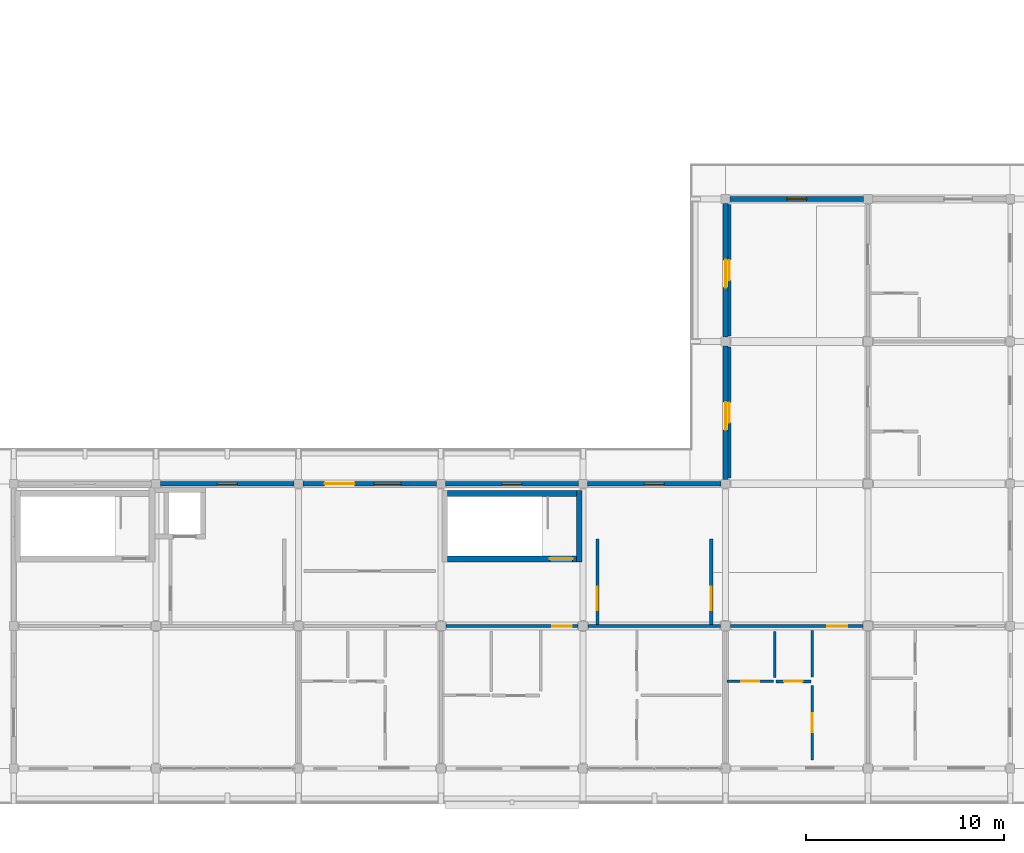
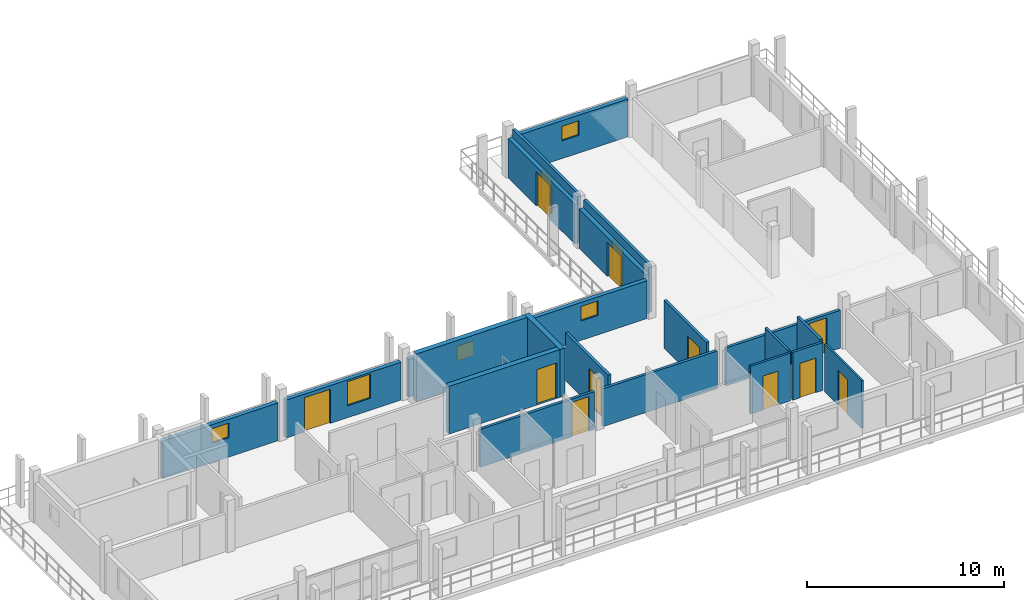
# One storey, part 38 of 56: 22 walls, 13 doors, 5 windows, 18 openings.
"""IFC4 building model written with IfcOpenShell, lengths in metres."""

from ifc_helpers import new_model, si_unit, direction, frame, frame_2d, origin, place, context, subcontext, project, spatial, rectangle, extrude, material, layer, layer_set, type_object, element, fill, save


model = new_model("IFC4")

# Units and contexts
model_context = context("Model", 3, precision=1e-05, world=origin(), true_north=direction((0.0, 1.0)))
body_context = subcontext(model_context, "Body", "Model", "MODEL_VIEW")
ifc_project = project(units=[si_unit("LENGTHUNIT", "METRE"), si_unit("AREAUNIT", "SQUARE_METRE"), si_unit("VOLUMEUNIT", "CUBIC_METRE"), si_unit("PLANEANGLEUNIT", "RADIAN"), si_unit("MASSUNIT", "GRAM", prefix="KILO")], contexts=[model_context])

# Site, building, storey
site_placement = place(None, origin())
site = spatial("IfcSite", under=ifc_project, at=site_placement, CompositionType="ELEMENT")
building_placement = place(site_placement, origin())
building = spatial("IfcBuilding", under=site, at=building_placement, Name="Suanplinth Sawtooth Commons", CompositionType="ELEMENT")
storey_placement = place(building_placement, frame((0.0, 0.0, 34.800048828125)))
storey = spatial("IfcBuildingStorey", under=building, at=storey_placement, Name="L10", CompositionType="ELEMENT", Elevation=34.800048828125)

# Wall, opening, door
ifc_material_1 = material(Name="Concrete C40/50", Category="concrete")
ifc_layer_1 = layer(ifc_material_1, 0.300048828125, Name="Standard RC stair and lift core wall 300mm")
ifc_layer_set_1 = layer_set([ifc_layer_1], Name="Concrete C40/50")
wall_type_1 = type_object("IfcWallType", Name="W-CR02", PredefinedType="SHEAR", material=ifc_layer_set_1)
wall_1_placement = place(storey_placement, frame((158.75, 10.60009765625, 0.0), z_axis=(0.0, 0.0, 1.0), x_axis=(1.0, 0.0, 0.0)))
wall_1 = element("IfcWall", 1, at=wall_1_placement, inside=storey, type_object=wall_type_1, Name="W-L10-C-C2-STS", PredefinedType="SHEAR", context=body_context, shape_type="SweptSolid", body=[
    extrude(rectangle(XDim=6.5, YDim=0.300048828125, at=frame_2d((3.25, 0.0))), origin(), (0.0, 0.0, 1.0), 2.9599609375),
])
opening_1_placement = place(wall_1_placement, frame((5.169921875, 0.0, 0.0)))
opening_1 = element("IfcOpeningElement", 2, at=opening_1_placement, cuts=wall_1, Name="Opening FD0354", PredefinedType="OPENING", context=body_context, shape_type="SweptSolid", body=[
    extrude(rectangle(XDim=1.14990234375, YDim=2.199951171875, at=frame_2d((0.574951171875, 1.10009765625))), frame((0.0, 0.1650390625, 0.0), z_axis=(0.0, -1.0, 0.0), x_axis=(1.0, 0.0, 0.0)), (0.0, 0.0, 1.0), 0.329833984375),
])
ifc_material_2 = material(Name="Teak hardwood fire-rated door assembly", Category="wood")
door_type_1 = type_object("IfcDoorType", Name="FD-01", OperationType="NOTDEFINED", PredefinedType="DOOR", material=ifc_material_2)
door_1_placement = place(opening_1_placement, origin())
door_1 = element("IfcDoor", 3, at=door_1_placement, inside=storey, type_object=door_type_1, Name="Exit Stair Fire Door FD0354", OperationType="SINGLE_SWING_LEFT", OverallHeight=2.199951171875, OverallWidth=1.14990234375, PredefinedType="DOOR", context=body_context, shape_type="SweptSolid", body=[
    extrude(rectangle(XDim=1.14990234375, YDim=2.199951171875, at=frame_2d((0.574951171875, 1.10009765625))), frame((0.0, 0.02490234375, 0.0), z_axis=(0.0, -1.0, 0.0), x_axis=(1.0, 0.0, 0.0)), (0.0, 0.0, 1.0), 0.050048828125),
])
fill(opening_1, door_1)

# Walls
wall_2_placement = place(storey_placement, frame((158.75, 13.89990234375, 0.0), z_axis=(0.0, 0.0, 1.0), x_axis=(1.0, 0.0, 0.0)))
element("IfcWall", 4, at=wall_2_placement, inside=storey, type_object=wall_type_1, Name="W-L10-C-C2-STN", PredefinedType="SHEAR", context=body_context, shape_type="SweptSolid", body=[
    extrude(rectangle(XDim=6.5, YDim=0.300048828125, at=frame_2d((3.25, 0.0))), origin(), (0.0, 0.0, 1.0), 2.9599609375),
])
wall_3_placement = place(storey_placement, frame((165.39990234375, 10.449951171875, 0.0), z_axis=(0.0, 0.0, 1.0), x_axis=(0.0, 1.0, 0.0)))
element("IfcWall", 5, at=wall_3_placement, inside=storey, type_object=wall_type_1, Name="W-L10-C-C2-STE", PredefinedType="SHEAR", context=body_context, shape_type="SweptSolid", body=[
    extrude(rectangle(XDim=3.60009765625, YDim=0.300048828125, at=frame_2d((1.800048828125, 0.0))), origin(), (0.0, 0.0, 1.0), 2.9599609375),
])

# Wall, opening, window
ifc_material_3 = material(Name="Precast concrete C40/50", Category="concrete")
ifc_layer_2 = layer(ifc_material_3, 0.239990234375, Name="Upper insulated precast facade wall 240mm")
ifc_layer_set_2 = layer_set([ifc_layer_2], Name="Precast concrete C40/50")
wall_type_2 = type_object("IfcWallType", Name="W-EX03", PredefinedType="ELEMENTEDWALL", material=ifc_layer_set_2)
wall_4_placement = place(storey_placement, frame((144.22509765625, 14.39990234375, 0.0), z_axis=(0.0, 0.0, 1.0), x_axis=(1.0, 0.0, 0.0)))
wall_4 = element("IfcWall", 6, at=wall_4_placement, inside=storey, type_object=wall_type_2, Name="Facade Wall W-L10-C-N-20-1", PredefinedType="ELEMENTEDWALL", context=body_context, shape_type="SweptSolid", body=[
    extrude(rectangle(XDim=6.75, YDim=0.239990234375, at=frame_2d((3.375, 0.0))), origin(), (0.0, 0.0, 1.0), 2.344970703125),
])
opening_2_placement = place(wall_4_placement, frame((2.875, 0.0, 1.199951171875)))
opening_2 = element("IfcOpeningElement", 7, at=opening_2_placement, cuts=wall_4, Name="Opening W0850", PredefinedType="OPENING", context=body_context, shape_type="SweptSolid", body=[
    extrude(rectangle(XDim=1.0, YDim=0.89990234375, at=frame_2d((0.5, 0.449951171875))), frame((0.0, 0.134765625, 0.0), z_axis=(0.0, -1.0, 0.0), x_axis=(1.0, 0.0, 0.0)), (0.0, 0.0, 1.0), 0.269775390625),
])
ifc_material_4 = material(Name="Thermally broken aluminium and low-E double glazing", Category="aluminium")
window_type_1 = type_object("IfcWindowType", Name="WN-12", PartitioningType="SINGLE_PANEL", PredefinedType="WINDOW", material=ifc_material_4)
window_1_placement = place(opening_2_placement, origin())
window_1 = element("IfcWindow", 8, at=window_1_placement, inside=storey, type_object=window_type_1, Name="Core Daylight Window L10-C-20-1", OverallHeight=0.89990234375, OverallWidth=1.0, PartitioningType="SINGLE_PANEL", PredefinedType="WINDOW", context=body_context, shape_type="SweptSolid", body=[
    extrude(rectangle(XDim=1.0, YDim=0.89990234375, at=frame_2d((0.5, 0.449951171875))), frame((0.0, 0.030029296875, 0.0), z_axis=(0.0, -1.0, 0.0), x_axis=(1.0, 0.0, 0.0)), (0.0, 0.0, 1.0), 0.06005859375),
])
fill(opening_2, window_1)

# Wall, openings, door, window
wall_5_placement = place(storey_placement, frame((151.425048828125, 14.39990234375, 0.0), z_axis=(0.0, 0.0, 1.0), x_axis=(1.0, 0.0, 0.0)))
wall_5 = element("IfcWall", 9, at=wall_5_placement, inside=storey, type_object=wall_type_2, Name="Facade Wall W-L10-C-N-21-1", PredefinedType="ELEMENTEDWALL", context=body_context, shape_type="SweptSolid", body=[
    extrude(rectangle(XDim=6.75, YDim=0.239990234375, at=frame_2d((3.375, 0.0))), origin(), (0.0, 0.0, 1.0), 2.344970703125),
])
opening_3_placement = place(wall_5_placement, frame((1.10009765625, 0.0, 0.0)))
opening_3 = element("IfcOpeningElement", 10, at=opening_3_placement, cuts=wall_5, Name="Opening ED0767", PredefinedType="OPENING", context=body_context, shape_type="SweptSolid", body=[
    extrude(rectangle(XDim=1.5, YDim=2.1201171875, at=frame_2d((0.75, 1.06005859375))), frame((0.0, 0.134765625, 0.0), z_axis=(0.0, -1.0, 0.0), x_axis=(1.0, 0.0, 0.0)), (0.0, 0.0, 1.0), 0.269775390625),
])
opening_4_placement = place(wall_5_placement, frame((3.60009765625, 0.0, 0.735107421875)))
opening_4 = element("IfcOpeningElement", 11, at=opening_4_placement, cuts=wall_5, Name="Opening W0852", PredefinedType="OPENING", context=body_context, shape_type="SweptSolid", body=[
    extrude(rectangle(XDim=1.35009765625, YDim=1.5, at=frame_2d((0.675048828125, 0.75))), frame((0.0, 0.134765625, 0.0), z_axis=(0.0, -1.0, 0.0), x_axis=(1.0, 0.0, 0.0)), (0.0, 0.0, 1.0), 0.269775390625),
])
ifc_material_5 = material(Name="Anodized aluminium and low-E glass", Category="aluminium")
door_type_2 = type_object("IfcDoorType", Name="SD-03", OperationType="SLIDING_TO_LEFT", PredefinedType="DOOR", material=ifc_material_5)
door_2_placement = place(opening_3_placement, frame((1.5, 0.0, 0.0), z_axis=(0.0, 0.0, 1.0), x_axis=(-1.0, 0.0, 0.0)))
door_2 = element("IfcDoor", 12, at=door_2_placement, inside=storey, type_object=door_type_2, Name="Courtyard Balcony Door L10-C-21", OperationType="SLIDING_TO_LEFT", OverallHeight=2.1201171875, OverallWidth=1.5, PredefinedType="DOOR", context=body_context, shape_type="SweptSolid", body=[
    extrude(rectangle(XDim=1.5, YDim=2.1201171875, at=frame_2d((0.75, 1.06005859375))), frame((0.0, 0.02490234375, 0.0), z_axis=(0.0, -1.0, 0.0), x_axis=(1.0, 0.0, 0.0)), (0.0, 0.0, 1.0), 0.050048828125),
])
fill(opening_3, door_2)
window_type_2 = type_object("IfcWindowType", Name="WN-14", PartitioningType="SINGLE_PANEL", PredefinedType="WINDOW", material=ifc_material_4)
window_2_placement = place(opening_4_placement, origin())
window_2 = element("IfcWindow", 13, at=window_2_placement, inside=storey, type_object=window_type_2, Name="Courtyard Window L10-C-21", OverallHeight=1.5, OverallWidth=1.35009765625, PartitioningType="SINGLE_PANEL", PredefinedType="WINDOW", context=body_context, shape_type="SweptSolid", body=[
    extrude(rectangle(XDim=1.35009765625, YDim=1.5, at=frame_2d((0.675048828125, 0.75))), frame((0.0, 0.030029296875, 0.0), z_axis=(0.0, -1.0, 0.0), x_axis=(1.0, 0.0, 0.0)), (0.0, 0.0, 1.0), 0.06005859375),
])
fill(opening_4, window_2)

# Wall, opening, window
wall_6_placement = place(storey_placement, frame((158.625, 14.39990234375, 0.0), z_axis=(0.0, 0.0, 1.0), x_axis=(1.0, 0.0, 0.0)))
wall_6 = element("IfcWall", 14, at=wall_6_placement, inside=storey, type_object=wall_type_2, Name="Facade Wall W-L10-C-N-22-1", PredefinedType="ELEMENTEDWALL", context=body_context, shape_type="SweptSolid", body=[
    extrude(rectangle(XDim=6.75, YDim=0.239990234375, at=frame_2d((3.375, 0.0))), origin(), (0.0, 0.0, 1.0), 2.344970703125),
])
opening_5_placement = place(wall_6_placement, frame((2.875, 0.0, 1.199951171875)))
opening_5 = element("IfcOpeningElement", 15, at=opening_5_placement, cuts=wall_6, Name="Opening W0854", PredefinedType="OPENING", context=body_context, shape_type="SweptSolid", body=[
    extrude(rectangle(XDim=1.0, YDim=0.89990234375, at=frame_2d((0.5, 0.449951171875))), frame((0.0, 0.134765625, 0.0), z_axis=(0.0, -1.0, 0.0), x_axis=(1.0, 0.0, 0.0)), (0.0, 0.0, 1.0), 0.269775390625),
])
window_3_placement = place(opening_5_placement, origin())
window_3 = element("IfcWindow", 16, at=window_3_placement, inside=storey, type_object=window_type_1, Name="Core Daylight Window L10-C-22-1", OverallHeight=0.89990234375, OverallWidth=1.0, PartitioningType="SINGLE_PANEL", PredefinedType="WINDOW", context=body_context, shape_type="SweptSolid", body=[
    extrude(rectangle(XDim=1.0, YDim=0.89990234375, at=frame_2d((0.5, 0.449951171875))), frame((0.0, 0.030029296875, 0.0), z_axis=(0.0, -1.0, 0.0), x_axis=(1.0, 0.0, 0.0)), (0.0, 0.0, 1.0), 0.06005859375),
])
fill(opening_5, window_3)

wall_7_placement = place(storey_placement, frame((165.824951171875, 14.39990234375, 0.0), z_axis=(0.0, 0.0, 1.0), x_axis=(1.0, 0.0, 0.0)))
wall_7 = element("IfcWall", 17, at=wall_7_placement, inside=storey, type_object=wall_type_2, Name="Facade Wall W-L10-C-N-23-1", PredefinedType="ELEMENTEDWALL", context=body_context, shape_type="SweptSolid", body=[
    extrude(rectangle(XDim=6.75, YDim=0.239990234375, at=frame_2d((3.375, 0.0))), origin(), (0.0, 0.0, 1.0), 2.344970703125),
])
opening_6_placement = place(wall_7_placement, frame((2.875, 0.0, 1.199951171875)))
opening_6 = element("IfcOpeningElement", 18, at=opening_6_placement, cuts=wall_7, Name="Opening W0855", PredefinedType="OPENING", context=body_context, shape_type="SweptSolid", body=[
    extrude(rectangle(XDim=1.0, YDim=0.89990234375, at=frame_2d((0.5, 0.449951171875))), frame((0.0, 0.134765625, 0.0), z_axis=(0.0, -1.0, 0.0), x_axis=(1.0, 0.0, 0.0)), (0.0, 0.0, 1.0), 0.269775390625),
])
window_4_placement = place(opening_6_placement, origin())
window_4 = element("IfcWindow", 19, at=window_4_placement, inside=storey, type_object=window_type_1, Name="Core Daylight Window L10-C-23-1", OverallHeight=0.89990234375, OverallWidth=1.0, PartitioningType="SINGLE_PANEL", PredefinedType="WINDOW", context=body_context, shape_type="SweptSolid", body=[
    extrude(rectangle(XDim=1.0, YDim=0.89990234375, at=frame_2d((0.5, 0.449951171875))), frame((0.0, 0.030029296875, 0.0), z_axis=(0.0, -1.0, 0.0), x_axis=(1.0, 0.0, 0.0)), (0.0, 0.0, 1.0), 0.06005859375),
])
fill(opening_6, window_4)

# Wall, opening, door
wall_8_placement = place(storey_placement, frame((172.800048828125, 14.625, 0.0), z_axis=(0.0, 0.0, 1.0), x_axis=(0.0, 1.0, 0.0)))
wall_8 = element("IfcWall", 20, at=wall_8_placement, inside=storey, type_object=wall_type_2, Name="Facade Wall W-L10-C-W-24-2", PredefinedType="ELEMENTEDWALL", context=body_context, shape_type="SweptSolid", body=[
    extrude(rectangle(XDim=6.75, YDim=0.239990234375, at=frame_2d((3.375, 0.0))), origin(), (0.0, 0.0, 1.0), 2.445068359375),
])
opening_7_placement = place(wall_8_placement, frame((2.5, 0.0, 0.0)))
opening_7 = element("IfcOpeningElement", 21, at=opening_7_placement, cuts=wall_8, Name="Opening ED0770", PredefinedType="OPENING", context=body_context, shape_type="SweptSolid", body=[
    extrude(rectangle(XDim=1.39990234375, YDim=2.10009765625, at=frame_2d((0.699951171875, 1.050048828125))), frame((0.0, 0.134765625, 0.0), z_axis=(0.0, -1.0, 0.0), x_axis=(1.0, 0.0, 0.0)), (0.0, 0.0, 1.0), 0.269775390625),
])
door_type_3 = type_object("IfcDoorType", Name="SD-07", OperationType="SLIDING_TO_RIGHT", PredefinedType="DOOR", material=ifc_material_5)
door_3_placement = place(opening_7_placement, frame((1.39990234375, 0.0, 0.0), z_axis=(0.0, 0.0, 1.0), x_axis=(-1.0, 0.0, 0.0)))
door_3 = element("IfcDoor", 22, at=door_3_placement, inside=storey, type_object=door_type_3, Name="Courtyard Veranda Studio Balcony Door L10-C-2", OperationType="SLIDING_TO_RIGHT", OverallHeight=2.10009765625, OverallWidth=1.39990234375, PredefinedType="DOOR", context=body_context, shape_type="SweptSolid", body=[
    extrude(rectangle(XDim=1.39990234375, YDim=2.10009765625, at=frame_2d((0.699951171875, 1.050048828125))), frame((0.0, 0.02490234375, 0.0), z_axis=(0.0, -1.0, 0.0), x_axis=(1.0, 0.0, 0.0)), (0.0, 0.0, 1.0), 0.050048828125),
])
fill(opening_7, door_3)

# Wall, opening, window
wall_9_placement = place(storey_placement, frame((173.02490234375, 28.800048828125, 0.0), z_axis=(0.0, 0.0, 1.0), x_axis=(1.0, 0.0, 0.0)))
wall_9 = element("IfcWall", 23, at=wall_9_placement, inside=storey, type_object=wall_type_2, Name="Facade Wall W-L10-C-N-24-3", PredefinedType="ELEMENTEDWALL", context=body_context, shape_type="SweptSolid", body=[
    extrude(rectangle(XDim=6.75, YDim=0.239990234375, at=frame_2d((3.375, 0.0))), origin(), (0.0, 0.0, 1.0), 2.344970703125),
])
opening_8_placement = place(wall_9_placement, frame((2.875, 0.0, 1.10009765625)))
opening_8 = element("IfcOpeningElement", 24, at=opening_8_placement, cuts=wall_9, Name="Opening W0857", PredefinedType="OPENING", context=body_context, shape_type="SweptSolid", body=[
    extrude(rectangle(XDim=1.0, YDim=0.89990234375, at=frame_2d((0.5, 0.449951171875))), frame((0.0, 0.134765625, 0.0), z_axis=(0.0, -1.0, 0.0), x_axis=(1.0, 0.0, 0.0)), (0.0, 0.0, 1.0), 0.269775390625),
])
window_5_placement = place(opening_8_placement, origin())
window_5 = element("IfcWindow", 25, at=window_5_placement, inside=storey, type_object=window_type_1, Name="End Window L10-C-N-24-3", OverallHeight=0.89990234375, OverallWidth=1.0, PartitioningType="SINGLE_PANEL", PredefinedType="WINDOW", context=body_context, shape_type="SweptSolid", body=[
    extrude(rectangle(XDim=1.0, YDim=0.89990234375, at=frame_2d((0.5, 0.449951171875))), frame((0.0, 0.030029296875, 0.0), z_axis=(0.0, -1.0, 0.0), x_axis=(1.0, 0.0, 0.0)), (0.0, 0.0, 1.0), 0.06005859375),
])
fill(opening_8, window_5)

# Wall, opening, door
wall_10_placement = place(storey_placement, frame((172.800048828125, 21.824951171875, 0.0), z_axis=(0.0, 0.0, 1.0), x_axis=(0.0, 1.0, 0.0)))
wall_10 = element("IfcWall", 26, at=wall_10_placement, inside=storey, type_object=wall_type_2, Name="Facade Wall W-L10-C-W-24-3", PredefinedType="ELEMENTEDWALL", context=body_context, shape_type="SweptSolid", body=[
    extrude(rectangle(XDim=6.75, YDim=0.239990234375, at=frame_2d((3.375, 0.0))), origin(), (0.0, 0.0, 1.0), 2.445068359375),
])
opening_9_placement = place(wall_10_placement, frame((2.5, 0.0, 0.0)))
opening_9 = element("IfcOpeningElement", 27, at=opening_9_placement, cuts=wall_10, Name="Opening ED0771", PredefinedType="OPENING", context=body_context, shape_type="SweptSolid", body=[
    extrude(rectangle(XDim=1.39990234375, YDim=2.10009765625, at=frame_2d((0.699951171875, 1.050048828125))), frame((0.0, 0.134765625, 0.0), z_axis=(0.0, -1.0, 0.0), x_axis=(1.0, 0.0, 0.0)), (0.0, 0.0, 1.0), 0.269775390625),
])
door_4_placement = place(opening_9_placement, frame((1.39990234375, 0.0, 0.0), z_axis=(0.0, 0.0, 1.0), x_axis=(-1.0, 0.0, 0.0)))
door_4 = element("IfcDoor", 28, at=door_4_placement, inside=storey, type_object=door_type_3, Name="Courtyard Veranda Studio Balcony Door L10-C-3", OperationType="SLIDING_TO_RIGHT", OverallHeight=2.10009765625, OverallWidth=1.39990234375, PredefinedType="DOOR", context=body_context, shape_type="SweptSolid", body=[
    extrude(rectangle(XDim=1.39990234375, YDim=2.10009765625, at=frame_2d((0.699951171875, 1.050048828125))), frame((0.0, 0.02490234375, 0.0), z_axis=(0.0, -1.0, 0.0), x_axis=(1.0, 0.0, 0.0)), (0.0, 0.0, 1.0), 0.050048828125),
])
fill(opening_9, door_4)

ifc_layer_3 = layer(ifc_material_3, 0.159912109375, Name="Fire-rated corridor and lobby wall 160mm")
ifc_layer_set_3 = layer_set([ifc_layer_3], Name="Precast concrete C40/50")
wall_type_3 = type_object("IfcWallType", Name="W-FW01", PredefinedType="PARTITIONING", material=ifc_layer_set_3)
wall_11_placement = place(storey_placement, frame((166.320068359375, 7.280029296875, 0.0), z_axis=(0.0, 0.0, 1.0), x_axis=(0.0, 1.0, 0.0)))
wall_11 = element("IfcWall", 29, at=wall_11_placement, inside=storey, type_object=wall_type_3, Name="W-L10-C-C2-LOB-W", PredefinedType="PARTITIONING", context=body_context, shape_type="SweptSolid", body=[
    extrude(rectangle(XDim=4.320068359375, YDim=0.159912109375, at=frame_2d((2.16015625, 0.0))), origin(), (0.0, 0.0, 1.0), 2.9599609375),
])
opening_10_placement = place(wall_11_placement, frame((0.719970703125, 0.0, 0.0)))
opening_10 = element("IfcOpeningElement", 30, at=opening_10_placement, cuts=wall_11, Name="Opening FD0355", PredefinedType="OPENING", context=body_context, shape_type="SweptSolid", body=[
    extrude(rectangle(XDim=1.199951171875, YDim=2.199951171875, at=frame_2d((0.60009765625, 1.10009765625))), frame((0.0, 0.0947265625, 0.0), z_axis=(0.0, -1.0, 0.0), x_axis=(1.0, 0.0, 0.0)), (0.0, 0.0, 1.0), 0.189697265625),
])
door_type_4 = type_object("IfcDoorType", Name="FD-02", OperationType="NOTDEFINED", PredefinedType="DOOR", material=ifc_material_2)
door_5_placement = place(opening_10_placement, origin())
door_5 = element("IfcDoor", 31, at=door_5_placement, inside=storey, type_object=door_type_4, Name="Lobby Fire Door FD0355", OperationType="SINGLE_SWING_RIGHT", OverallHeight=2.199951171875, OverallWidth=1.199951171875, PredefinedType="DOOR", context=body_context, shape_type="SweptSolid", body=[
    extrude(rectangle(XDim=1.199951171875, YDim=2.199951171875, at=frame_2d((0.60009765625, 1.10009765625))), frame((0.0, 0.02490234375, 0.0), z_axis=(0.0, -1.0, 0.0), x_axis=(1.0, 0.0, 0.0)), (0.0, 0.0, 1.0), 0.050048828125),
])
fill(opening_10, door_5)

wall_12_placement = place(storey_placement, frame((172.080078125, 7.280029296875, 0.0), z_axis=(0.0, 0.0, 1.0), x_axis=(0.0, 1.0, 0.0)))
wall_12 = element("IfcWall", 32, at=wall_12_placement, inside=storey, type_object=wall_type_3, Name="W-L10-C-C2-LOB-E", PredefinedType="PARTITIONING", context=body_context, shape_type="SweptSolid", body=[
    extrude(rectangle(XDim=4.320068359375, YDim=0.159912109375, at=frame_2d((2.16015625, 0.0))), origin(), (0.0, 0.0, 1.0), 2.9599609375),
])
opening_11_placement = place(wall_12_placement, frame((0.719970703125, 0.0, 0.0)))
opening_11 = element("IfcOpeningElement", 33, at=opening_11_placement, cuts=wall_12, Name="Opening FD0356", PredefinedType="OPENING", context=body_context, shape_type="SweptSolid", body=[
    extrude(rectangle(XDim=1.199951171875, YDim=2.199951171875, at=frame_2d((0.60009765625, 1.10009765625))), frame((0.0, 0.0947265625, 0.0), z_axis=(0.0, -1.0, 0.0), x_axis=(1.0, 0.0, 0.0)), (0.0, 0.0, 1.0), 0.189697265625),
])
door_6_placement = place(opening_11_placement, frame((1.199951171875, 0.0, 0.0), z_axis=(0.0, 0.0, 1.0), x_axis=(-1.0, 0.0, 0.0)))
door_6 = element("IfcDoor", 34, at=door_6_placement, inside=storey, type_object=door_type_4, Name="Lobby Fire Door FD0356", OperationType="SINGLE_SWING_LEFT", OverallHeight=2.199951171875, OverallWidth=1.199951171875, PredefinedType="DOOR", context=body_context, shape_type="SweptSolid", body=[
    extrude(rectangle(XDim=1.199951171875, YDim=2.199951171875, at=frame_2d((0.60009765625, 1.10009765625))), frame((0.0, 0.02490234375, 0.0), z_axis=(0.0, -1.0, 0.0), x_axis=(1.0, 0.0, 0.0)), (0.0, 0.0, 1.0), 0.050048828125),
])
fill(opening_11, door_6)

wall_13_placement = place(storey_placement, frame((158.655029296875, 7.199951171875, 0.0), z_axis=(0.0, 0.0, 1.0), x_axis=(1.0, 0.0, 0.0)))
wall_13 = element("IfcWall", 35, at=wall_13_placement, inside=storey, type_object=wall_type_3, Name="W-C-L10-U03-COR-S1", PredefinedType="PARTITIONING", context=body_context, shape_type="SweptSolid", body=[
    extrude(rectangle(XDim=6.68994140625, YDim=0.159912109375, at=frame_2d((3.344970703125, 0.0))), origin(), (0.0, 0.0, 1.0), 2.344970703125),
])
opening_12_placement = place(wall_13_placement, frame((5.375, 0.0, 0.0)))
opening_12 = element("IfcOpeningElement", 36, at=opening_12_placement, cuts=wall_13, Name="Opening FD1909", PredefinedType="OPENING", context=body_context, shape_type="SweptSolid", body=[
    extrude(rectangle(XDim=1.0, YDim=2.14990234375, at=frame_2d((0.5, 1.074951171875))), frame((0.0, 0.0947265625, 0.0), z_axis=(0.0, -1.0, 0.0), x_axis=(1.0, 0.0, 0.0)), (0.0, 0.0, 1.0), 0.189697265625),
])
door_type_5 = type_object("IfcDoorType", Name="FD-03", OperationType="NOTDEFINED", PredefinedType="DOOR", material=ifc_material_2)
door_7_placement = place(opening_12_placement, frame((1.0, 0.0, 0.0), z_axis=(0.0, 0.0, 1.0), x_axis=(-1.0, 0.0, 0.0)))
door_7 = element("IfcDoor", 37, at=door_7_placement, inside=storey, type_object=door_type_5, Name="Unit Entrance Door FD1909", OperationType="SINGLE_SWING_LEFT", OverallHeight=2.14990234375, OverallWidth=1.0, PredefinedType="DOOR", context=body_context, shape_type="SweptSolid", body=[
    extrude(rectangle(XDim=1.0, YDim=2.14990234375, at=frame_2d((0.5, 1.074951171875))), frame((0.0, 0.02490234375, 0.0), z_axis=(0.0, -1.0, 0.0), x_axis=(1.0, 0.0, 0.0)), (0.0, 0.0, 1.0), 0.050048828125),
])
fill(opening_12, door_7)

# Wall
wall_14_placement = place(storey_placement, frame((165.85498046875, 7.199951171875, 0.0), z_axis=(0.0, 0.0, 1.0), x_axis=(1.0, 0.0, 0.0)))
element("IfcWall", 38, at=wall_14_placement, inside=storey, type_object=wall_type_3, Name="W-C-L10-U03-COR-S2", PredefinedType="PARTITIONING", context=body_context, shape_type="SweptSolid", body=[
    extrude(rectangle(XDim=6.68994140625, YDim=0.159912109375, at=frame_2d((3.344970703125, 0.0))), origin(), (0.0, 0.0, 1.0), 2.344970703125),
])

# Wall, opening, door
wall_15_placement = place(storey_placement, frame((173.054931640625, 7.199951171875, 0.0), z_axis=(0.0, 0.0, 1.0), x_axis=(1.0, 0.0, 0.0)))
wall_15 = element("IfcWall", 39, at=wall_15_placement, inside=storey, type_object=wall_type_3, Name="W-C-L10-U04-COR", PredefinedType="PARTITIONING", context=body_context, shape_type="SweptSolid", body=[
    extrude(rectangle(XDim=6.690185546875, YDim=0.159912109375, at=frame_2d((3.34521484375, 0.0))), origin(), (0.0, 0.0, 1.0), 2.344970703125),
])
opening_13_placement = place(wall_15_placement, frame((4.89501953125, 0.0, 0.0)))
opening_13 = element("IfcOpeningElement", 40, at=opening_13_placement, cuts=wall_15, Name="Opening FD1914", PredefinedType="OPENING", context=body_context, shape_type="SweptSolid", body=[
    extrude(rectangle(XDim=1.0, YDim=2.14990234375, at=frame_2d((0.5, 1.074951171875))), frame((0.0, 0.0947265625, 0.0), z_axis=(0.0, -1.0, 0.0), x_axis=(1.0, 0.0, 0.0)), (0.0, 0.0, 1.0), 0.189697265625),
])
door_8_placement = place(opening_13_placement, frame((1.0, 0.0, 0.0), z_axis=(0.0, 0.0, 1.0), x_axis=(-1.0, 0.0, 0.0)))
door_8 = element("IfcDoor", 41, at=door_8_placement, inside=storey, type_object=door_type_5, Name="Unit Entrance Door FD1914", OperationType="SINGLE_SWING_RIGHT", OverallHeight=2.14990234375, OverallWidth=1.0, PredefinedType="DOOR", context=body_context, shape_type="SweptSolid", body=[
    extrude(rectangle(XDim=1.0, YDim=2.14990234375, at=frame_2d((0.5, 1.074951171875))), frame((0.0, 0.02490234375, 0.0), z_axis=(0.0, -1.0, 0.0), x_axis=(1.0, 0.0, 0.0)), (0.0, 0.0, 1.0), 0.050048828125),
])
fill(opening_13, door_8)

wall_16_placement = place(storey_placement, frame((173.0, 14.679931640625, 0.0), z_axis=(0.0, 0.0, 1.0), x_axis=(0.0, 1.0, 0.0)))
wall_16 = element("IfcWall", 42, at=wall_16_placement, inside=storey, type_object=wall_type_3, Name="W-C-L10-LEGCOURTROOM-31-COR", PredefinedType="PARTITIONING", context=body_context, shape_type="SweptSolid", body=[
    extrude(rectangle(XDim=6.64013671875, YDim=0.159912109375, at=frame_2d((3.320068359375, 0.0))), origin(), (0.0, 0.0, 1.0), 2.9599609375),
])
opening_14_placement = place(wall_16_placement, frame((2.81005859375, 0.0, 0.0)))
opening_14 = element("IfcOpeningElement", 43, at=opening_14_placement, cuts=wall_16, Name="Opening D1924", PredefinedType="OPENING", context=body_context, shape_type="SweptSolid", body=[
    extrude(rectangle(XDim=1.02001953125, YDim=2.179931640625, at=frame_2d((0.510009765625, 1.08984375))), frame((0.0, 0.0947265625, 0.0), z_axis=(0.0, -1.0, 0.0), x_axis=(1.0, 0.0, 0.0)), (0.0, 0.0, 1.0), 0.189697265625),
])
ifc_material_6 = material(Name="Teak hardwood", Category="wood")
door_type_6 = type_object("IfcDoorType", Name="D-16", OperationType="NOTDEFINED", PredefinedType="DOOR", material=ifc_material_6)
door_9_placement = place(opening_14_placement, origin())
door_9 = element("IfcDoor", 44, at=door_9_placement, inside=storey, type_object=door_type_6, Name="Veranda Studio Door D1924", OperationType="SINGLE_SWING_RIGHT", OverallHeight=2.179931640625, OverallWidth=1.02001953125, PredefinedType="DOOR", context=body_context, shape_type="SweptSolid", body=[
    extrude(rectangle(XDim=1.02001953125, YDim=2.179931640625, at=frame_2d((0.510009765625, 1.08984375))), frame((0.0, 0.02490234375, 0.0), z_axis=(0.0, -1.0, 0.0), x_axis=(1.0, 0.0, 0.0)), (0.0, 0.0, 1.0), 0.050048828125),
])
fill(opening_14, door_9)

wall_17_placement = place(storey_placement, frame((173.0, 21.8798828125, 0.0), z_axis=(0.0, 0.0, 1.0), x_axis=(0.0, 1.0, 0.0)))
wall_17 = element("IfcWall", 45, at=wall_17_placement, inside=storey, type_object=wall_type_3, Name="W-C-L10-LEGCOURTROOM-33-COR", PredefinedType="PARTITIONING", context=body_context, shape_type="SweptSolid", body=[
    extrude(rectangle(XDim=6.64013671875, YDim=0.159912109375, at=frame_2d((3.320068359375, 0.0))), origin(), (0.0, 0.0, 1.0), 2.9599609375),
])
opening_15_placement = place(wall_17_placement, frame((2.81005859375, 0.0, 0.0)))
opening_15 = element("IfcOpeningElement", 46, at=opening_15_placement, cuts=wall_17, Name="Opening D1927", PredefinedType="OPENING", context=body_context, shape_type="SweptSolid", body=[
    extrude(rectangle(XDim=1.02001953125, YDim=2.179931640625, at=frame_2d((0.510009765625, 1.08984375))), frame((0.0, 0.0947265625, 0.0), z_axis=(0.0, -1.0, 0.0), x_axis=(1.0, 0.0, 0.0)), (0.0, 0.0, 1.0), 0.189697265625),
])
door_10_placement = place(opening_15_placement, origin())
door_10 = element("IfcDoor", 47, at=door_10_placement, inside=storey, type_object=door_type_6, Name="Veranda Studio Door D1927", OperationType="SINGLE_SWING_LEFT", OverallHeight=2.179931640625, OverallWidth=1.02001953125, PredefinedType="DOOR", context=body_context, shape_type="SweptSolid", body=[
    extrude(rectangle(XDim=1.02001953125, YDim=2.179931640625, at=frame_2d((0.510009765625, 1.08984375))), frame((0.0, 0.02490234375, 0.0), z_axis=(0.0, -1.0, 0.0), x_axis=(1.0, 0.0, 0.0)), (0.0, 0.0, 1.0), 0.050048828125),
])
fill(opening_15, door_10)

ifc_material_7 = material(Name="Gypsum plasterboard on steel stud", Category="steel")
ifc_layer_4 = layer(ifc_material_7, 0.139892578125, Name="Fire-rated kitchen partition 140mm")
ifc_layer_set_4 = layer_set([ifc_layer_4], Name="Gypsum plasterboard on steel stud")
wall_type_4 = type_object("IfcWallType", Name="W-PT01", PredefinedType="PARTITIONING", material=ifc_layer_set_4)
wall_18_placement = place(storey_placement, frame((175.35009765625, 4.39990234375, 0.0), z_axis=(0.0, 0.0, 1.0), x_axis=(1.0, 0.0, 0.0)))
wall_18 = element("IfcWall", 48, at=wall_18_placement, inside=storey, type_object=wall_type_4, Name="W-C-L10-U04-KIT1", PredefinedType="PARTITIONING", context=body_context, shape_type="SweptSolid", body=[
    extrude(rectangle(XDim=1.77001953125, YDim=0.139892578125, at=frame_2d((0.885009765625, 0.0))), origin(), (0.0, 0.0, 1.0), 2.9599609375),
])
opening_16_placement = place(wall_18_placement, frame((0.419921875, 0.0, 0.0)))
opening_16 = element("IfcOpeningElement", 49, at=opening_16_placement, cuts=wall_18, Name="Opening D1916", PredefinedType="OPENING", context=body_context, shape_type="SweptSolid", body=[
    extrude(rectangle(XDim=0.929931640625, YDim=2.139892578125, at=frame_2d((0.46484375, 1.06982421875))), frame((0.0, 0.0849609375, 0.0), z_axis=(0.0, -1.0, 0.0), x_axis=(1.0, 0.0, 0.0)), (0.0, 0.0, 1.0), 0.169677734375),
])
door_type_7 = type_object("IfcDoorType", Name="D-19", OperationType="NOTDEFINED", PredefinedType="DOOR", material=ifc_material_6)
door_11_placement = place(opening_16_placement, origin())
door_11 = element("IfcDoor", 50, at=door_11_placement, inside=storey, type_object=door_type_7, Name="Kitchen Door D1916", OperationType="SINGLE_SWING_RIGHT", OverallHeight=2.139892578125, OverallWidth=0.929931640625, PredefinedType="DOOR", context=body_context, shape_type="SweptSolid", body=[
    extrude(rectangle(XDim=0.929931640625, YDim=2.139892578125, at=frame_2d((0.46484375, 1.06982421875))), frame((0.0, 0.02490234375, 0.0), z_axis=(0.0, -1.0, 0.0), x_axis=(1.0, 0.0, 0.0)), (0.0, 0.0, 1.0), 0.050048828125),
])
fill(opening_16, door_11)

# Wall
wall_19_placement = place(storey_placement, frame((177.18994140625, 4.6201171875, 0.0), z_axis=(0.0, 0.0, 1.0), x_axis=(0.0, 1.0, 0.0)))
element("IfcWall", 51, at=wall_19_placement, inside=storey, type_object=wall_type_4, Name="W-C-L10-U04-KIT2", PredefinedType="PARTITIONING", context=body_context, shape_type="SweptSolid", body=[
    extrude(rectangle(XDim=2.349853515625, YDim=0.139892578125, at=frame_2d((1.1748046875, 0.0))), origin(), (0.0, 0.0, 1.0), 2.9599609375),
])

# Wall, opening, door
ifc_layer_5 = layer(ifc_material_7, 0.1298828125, Name="Moisture-resistant bathroom partition 130mm")
ifc_layer_set_5 = layer_set([ifc_layer_5], Name="Gypsum plasterboard on steel stud")
wall_type_5 = type_object("IfcWallType", Name="W-PT02", PredefinedType="PARTITIONING", material=ifc_layer_set_5)
wall_20_placement = place(storey_placement, frame((172.8798828125, 4.405029296875, 0.0), z_axis=(0.0, 0.0, 1.0), x_axis=(1.0, 0.0, 0.0)))
wall_20 = element("IfcWall", 52, at=wall_20_placement, inside=storey, type_object=wall_type_5, Name="W-C-L10-U04-BTH1", PredefinedType="PARTITIONING", context=body_context, shape_type="SweptSolid", body=[
    extrude(rectangle(XDim=2.35009765625, YDim=0.1298828125, at=frame_2d((1.175048828125, 0.0))), origin(), (0.0, 0.0, 1.0), 2.9599609375),
])
opening_17_placement = place(wall_20_placement, frame((0.72509765625, 0.0, 0.0)))
opening_17 = element("IfcOpeningElement", 53, at=opening_17_placement, cuts=wall_20, Name="Opening D1915", PredefinedType="OPENING", context=body_context, shape_type="SweptSolid", body=[
    extrude(rectangle(XDim=0.89990234375, YDim=2.10009765625, at=frame_2d((0.449951171875, 1.050048828125))), frame((0.0, 0.079833984375, 0.0), z_axis=(0.0, -1.0, 0.0), x_axis=(1.0, 0.0, 0.0)), (0.0, 0.0, 1.0), 0.15966796875),
])
door_type_8 = type_object("IfcDoorType", Name="D-01", OperationType="NOTDEFINED", PredefinedType="DOOR", material=ifc_material_6)
door_12_placement = place(opening_17_placement, origin())
door_12 = element("IfcDoor", 54, at=door_12_placement, inside=storey, type_object=door_type_8, Name="Bathroom Door D1915", OperationType="SINGLE_SWING_LEFT", OverallHeight=2.10009765625, OverallWidth=0.89990234375, PredefinedType="DOOR", context=body_context, shape_type="SweptSolid", body=[
    extrude(rectangle(XDim=0.89990234375, YDim=2.10009765625, at=frame_2d((0.449951171875, 1.050048828125))), frame((0.0, 0.02490234375, 0.0), z_axis=(0.0, -1.0, 0.0), x_axis=(1.0, 0.0, 0.0)), (0.0, 0.0, 1.0), 0.050048828125),
])
fill(opening_17, door_12)

# Wall
wall_21_placement = place(storey_placement, frame((175.294921875, 4.610107421875, 0.0), z_axis=(0.0, 0.0, 1.0), x_axis=(0.0, 1.0, 0.0)))
element("IfcWall", 55, at=wall_21_placement, inside=storey, type_object=wall_type_5, Name="W-C-L10-U04-BTH2", PredefinedType="PARTITIONING", context=body_context, shape_type="SweptSolid", body=[
    extrude(rectangle(XDim=2.329833984375, YDim=0.1298828125, at=frame_2d((1.1650390625, 0.0))), origin(), (0.0, 0.0, 1.0), 2.9599609375),
])

# Wall, opening, door
ifc_layer_6 = layer(ifc_material_7, 0.1201171875, Name="Acoustic bedroom partition 120mm")
ifc_layer_set_6 = layer_set([ifc_layer_6], Name="Gypsum plasterboard on steel stud")
wall_type_6 = type_object("IfcWallType", Name="W-PT03", PredefinedType="PARTITIONING", material=ifc_layer_set_6)
wall_22_placement = place(storey_placement, frame((177.179931640625, 0.43994140625, 0.0), z_axis=(0.0, 0.0, 1.0), x_axis=(0.0, 1.0, 0.0)))
wall_22 = element("IfcWall", 56, at=wall_22_placement, inside=storey, type_object=wall_type_6, Name="W-C-L10-U04-BED1", PredefinedType="PARTITIONING", context=body_context, shape_type="SweptSolid", body=[
    extrude(rectangle(XDim=3.75, YDim=0.1201171875, at=frame_2d((1.875, 0.0))), origin(), (0.0, 0.0, 1.0), 2.9599609375),
])
opening_18_placement = place(wall_22_placement, frame((1.39990234375, 0.0, 0.0)))
opening_18 = element("IfcOpeningElement", 57, at=opening_18_placement, cuts=wall_22, Name="Opening D1917", PredefinedType="OPENING", context=body_context, shape_type="SweptSolid", body=[
    extrude(rectangle(XDim=0.949951171875, YDim=2.14990234375, at=frame_2d((0.47509765625, 1.074951171875))), frame((0.0, 0.074951171875, 0.0), z_axis=(0.0, -1.0, 0.0), x_axis=(1.0, 0.0, 0.0)), (0.0, 0.0, 1.0), 0.14990234375),
])
door_type_9 = type_object("IfcDoorType", Name="D-03", OperationType="NOTDEFINED", PredefinedType="DOOR", material=ifc_material_6)
door_13_placement = place(opening_18_placement, origin())
door_13 = element("IfcDoor", 58, at=door_13_placement, inside=storey, type_object=door_type_9, Name="Bedroom Door D1917", OperationType="SINGLE_SWING_LEFT", OverallHeight=2.14990234375, OverallWidth=0.949951171875, PredefinedType="DOOR", context=body_context, shape_type="SweptSolid", body=[
    extrude(rectangle(XDim=0.949951171875, YDim=2.14990234375, at=frame_2d((0.47509765625, 1.074951171875))), frame((0.0, 0.02490234375, 0.0), z_axis=(0.0, -1.0, 0.0), x_axis=(1.0, 0.0, 0.0)), (0.0, 0.0, 1.0), 0.050048828125),
])
fill(opening_18, door_13)

save(model, "model.ifc")
